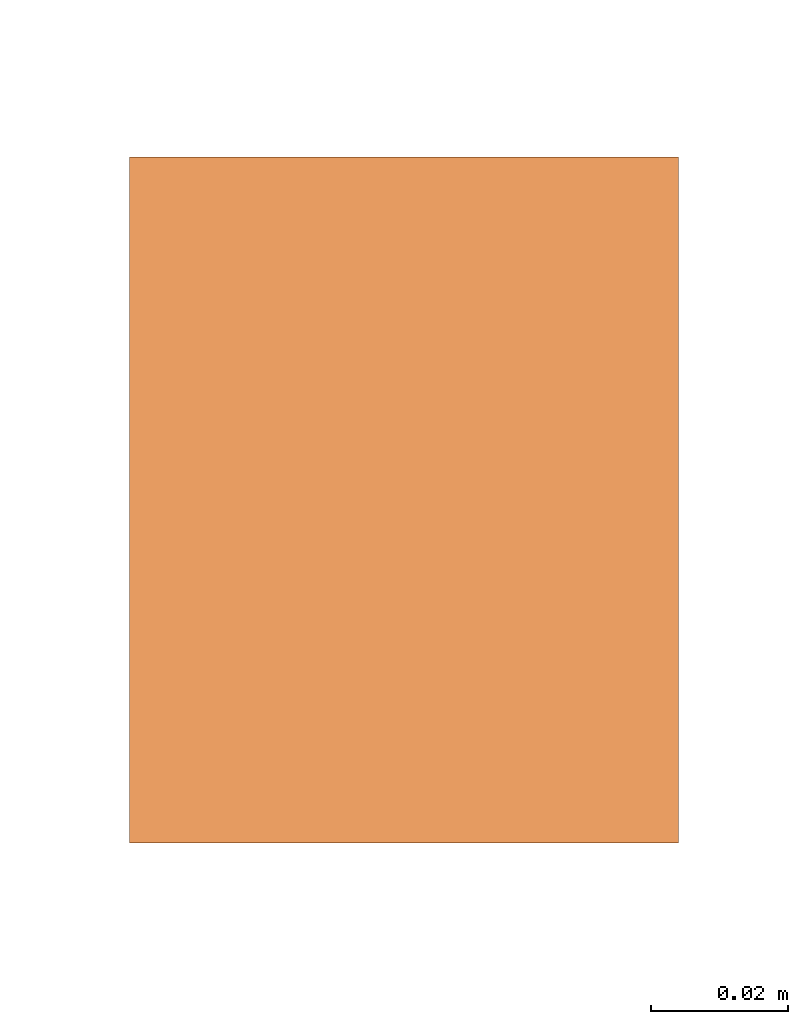
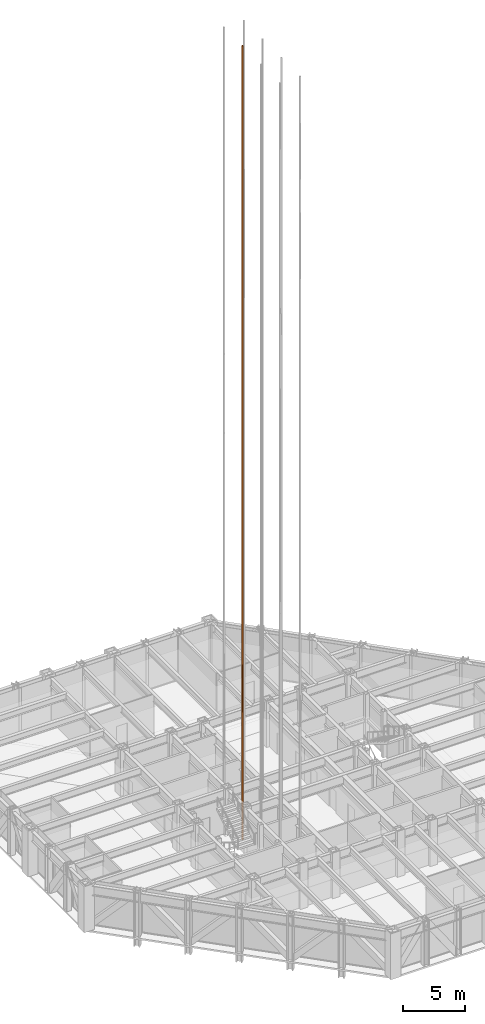
# One storey, part 23 of 26: 1 proxy.
"""IFC4 building model written with IfcOpenShell, lengths in metres."""

from ifc_helpers import new_model, si_unit, direction, frame, origin, origin_2d, place, context, subcontext, project, spatial, rectangle, extrude, material, type_object, element, save


model = new_model("IFC4")

# Units and contexts
model_context = context("Model", 3, precision=1e-05, world=origin(), true_north=direction((0.0, 1.0)))
body_context = subcontext(model_context, "Body", "Model", "MODEL_VIEW")
ifc_project = project(units=[si_unit("LENGTHUNIT", "METRE"), si_unit("AREAUNIT", "SQUARE_METRE"), si_unit("VOLUMEUNIT", "CUBIC_METRE"), si_unit("PLANEANGLEUNIT", "RADIAN"), si_unit("MASSUNIT", "GRAM", prefix="KILO")], contexts=[model_context])

# Site, building, storey
site_placement = place(None, origin())
site = spatial("IfcSite", under=ifc_project, at=site_placement, CompositionType="ELEMENT")
building_placement = place(site_placement, origin())
building = spatial("IfcBuilding", under=site, at=building_placement, Name="Chuquiago Exchange Tower", CompositionType="ELEMENT")
storey_placement = place(building_placement, frame((0.0, 0.0, 102.300048828125)))
storey = spatial("IfcBuildingStorey", under=building, at=storey_placement, Name="L21", CompositionType="ELEMENT", Elevation=102.300048828125)

# Proxy
ifc_material = material(Name="Galvanised steel guide rail", Category="steel")
building_element_proxy_type = type_object("IfcBuildingElementProxyType", Name="LR lift guide rail", PredefinedType="NOTDEFINED", material=ifc_material)
proxy_placement = place(storey_placement, frame((17.06494140625, 22.5, 0.0), z_axis=(0.0, 0.0, 1.0), x_axis=(1.0, 0.0, 0.0)))
element("IfcBuildingElementProxy", 1, at=proxy_placement, inside=storey, type_object=building_element_proxy_type, Name="Lift LB3 guide rail W", PredefinedType="NOTDEFINED", context=body_context, shape_type="SweptSolid", body=[
    extrude(rectangle(XDim=0.080078125, YDim=0.10009765625, at=origin_2d()), origin(), (0.0, 0.0, 1.0), 77.699951171875),
])

save(model, "model.ifc")
